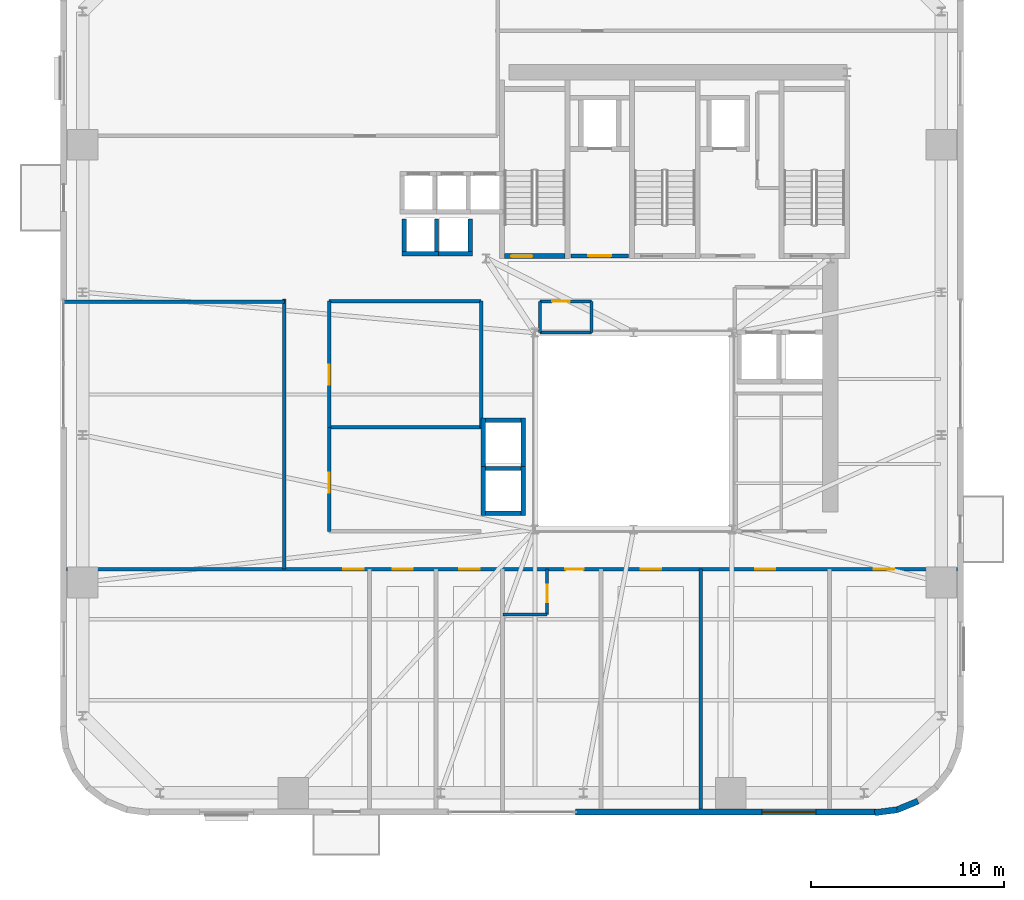
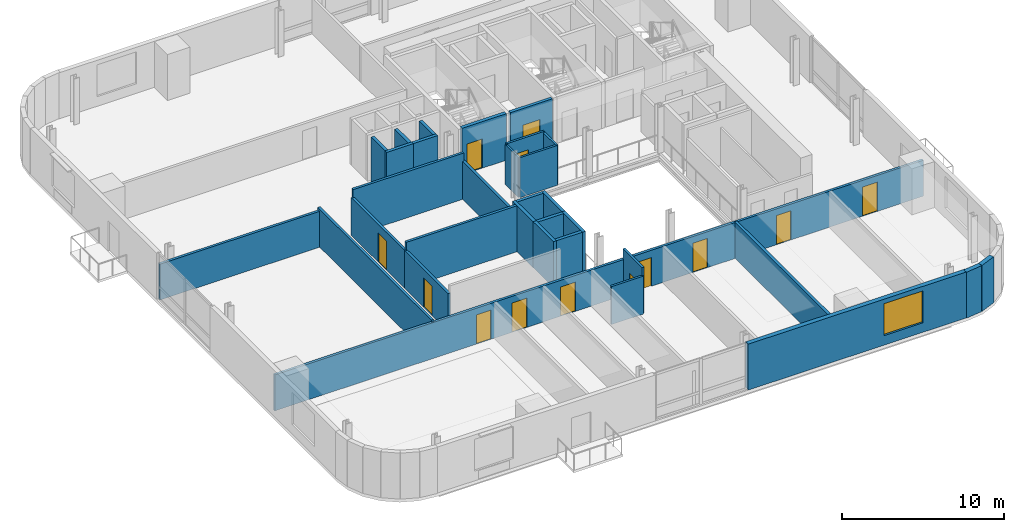
# One storey, part 6 of 14: 32 walls, 13 doors, 1 window, 14 openings.
"""IFC4 building model written with IfcOpenShell, lengths in metres."""

from ifc_helpers import new_model, si_unit, direction, frame, frame_2d, origin, place, context, subcontext, project, spatial, rectangle, extrude, source, transform, mapped, material, layer, layer_set, type_object, element, fill, save


model = new_model("IFC4")

# Units and contexts
model_context = context("Model", 3, precision=1e-05, world=origin(), true_north=direction((0.0, 1.0)))
body_context = subcontext(model_context, "Body", "Model", "MODEL_VIEW")
ifc_project = project(units=[si_unit("LENGTHUNIT", "METRE"), si_unit("AREAUNIT", "SQUARE_METRE"), si_unit("VOLUMEUNIT", "CUBIC_METRE"), si_unit("PLANEANGLEUNIT", "RADIAN"), si_unit("MASSUNIT", "GRAM", prefix="KILO")], contexts=[model_context])

# Site, building, storey
site_placement = place(None, origin())
site = spatial("IfcSite", under=ifc_project, at=site_placement, CompositionType="ELEMENT")
building_placement = place(site_placement, origin())
building = spatial("IfcBuilding", under=site, at=building_placement, Name="Vardaveli Station Tower", CompositionType="ELEMENT")
storey_placement = place(building_placement, frame((0.0, 0.0, 111.300048828125)))
storey = spatial("IfcBuildingStorey", under=building, at=storey_placement, Name="L28", CompositionType="ELEMENT", Elevation=111.300048828125)

# Wall, opening, window
ifc_material_1 = material(Name="Precast concrete C45/55", Category="concrete")
ifc_layer_1 = layer(ifc_material_1, 0.320068359375, Name="Precast concrete C45/55")
ifc_layer_set_1 = layer_set([ifc_layer_1], Name="Precast concrete C45/55")
wall_type_1 = type_object("IfcWallType", Name="WAL-EXT-STONE-320", PredefinedType="SOLIDWALL", material=ifc_layer_set_1)
shared_shape_1 = source(origin(), body_context, "Body", "SweptSolid", [
    extrude(rectangle(XDim=15.599853515625, YDim=0.320068359375, at=frame_2d((7.7998046875, 0.0))), origin(), (0.0, 0.0, 1.0), 3.4599609375),
])
wall_1_placement = place(storey_placement, frame((33.300048828125, 1.9599609375, 0.0), z_axis=(0.0, 0.0, 1.0), x_axis=(1.0, 0.0, 0.0)))
wall_1 = element("IfcWall", 1, at=wall_1_placement, inside=storey, type_object=wall_type_1, Name="EW-L28-S2", PredefinedType="SOLIDWALL", context=body_context, shape_type="MappedRepresentation", body=[
    mapped(shared_shape_1, transform((0.0, 0.0, 0.0), scale=1.0)),
])
shared_shape_2 = source(origin(), body_context, "Body", "SweptSolid", [
    extrude(rectangle(XDim=2.800048828125, YDim=2.39990234375, at=frame_2d((1.39990234375, 1.199951171875))), frame((0.0, 0.169921875, 0.0), z_axis=(0.0, -1.0, 0.0), x_axis=(1.0, 0.0, 0.0)), (0.0, 0.0, 1.0), 0.340087890625),
])
opening_1_placement = place(wall_1_placement, frame((9.64501953125, 0.0, 0.719970703125)))
opening_1 = element("IfcOpeningElement", 2, at=opening_1_placement, cuts=wall_1, Name="Opening W-04", PredefinedType="OPENING", context=body_context, shape_type="MappedRepresentation", body=[
    mapped(shared_shape_2, transform((0.0, 0.0, 0.0), scale=1.0)),
])
ifc_material_2 = material(Name="Low-E solar-control glass", Category="glass")
window_type = type_object("IfcWindowType", Name="WIN-SUITE-2800x2400", PartitioningType="SINGLE_PANEL", PredefinedType="WINDOW", material=ifc_material_2)
shared_shape_3 = source(origin(), body_context, "Body", "SweptSolid", [
    extrude(rectangle(XDim=2.800048828125, YDim=2.39990234375, at=frame_2d((1.39990234375, 1.199951171875))), frame((0.0, 0.030029296875, 0.0), z_axis=(0.0, -1.0, 0.0), x_axis=(1.0, 0.0, 0.0)), (0.0, 0.0, 1.0), 0.06005859375),
])
window_placement = place(opening_1_placement, origin())
window = element("IfcWindow", 3, at=window_placement, inside=storey, type_object=window_type, Name="WN-L28-S2", OverallHeight=2.39990234375, OverallWidth=2.800048828125, PartitioningType="SINGLE_PANEL", PredefinedType="WINDOW", context=body_context, shape_type="MappedRepresentation", body=[
    mapped(shared_shape_3, transform((0.0, 0.0, 0.0), scale=1.0)),
])
fill(opening_1, window)

# Walls
shared_shape_4 = source(origin(), body_context, "Body", "SweptSolid", [
    extrude(rectangle(XDim=1.16943359375, YDim=0.320068359375, at=frame_2d((0.584716796875, 0.0))), origin(), (0.0, 0.0, 1.0), 3.4599609375),
])
wall_2_placement = place(storey_placement, frame((49.960205078125, 2.074462890625, 0.0), z_axis=(0.0, 0.0, 1.0), x_axis=(0.924479075121, 0.381232789334, 0.0)))
element("IfcWall", 4, at=wall_2_placement, inside=storey, type_object=wall_type_1, Name="EW-L28-CR2-2", PredefinedType="SOLIDWALL", context=body_context, shape_type="MappedRepresentation", body=[
    mapped(shared_shape_4, transform((0.0, 0.0, 0.0), scale=1.0)),
])
shared_shape_5 = source(origin(), body_context, "Body", "SweptSolid", [
    extrude(rectangle(XDim=1.170166015625, YDim=0.320068359375, at=frame_2d((0.5849609375, 0.0))), origin(), (0.0, 0.0, 1.0), 3.4599609375),
])
wall_3_placement = place(storey_placement, frame((48.799560546875, 1.924560546875, 0.0), z_axis=(0.0, 0.0, 1.0), x_axis=(0.991762485493, 0.128090485085, 0.0)))
element("IfcWall", 5, at=wall_3_placement, inside=storey, type_object=wall_type_1, Name="EW-L28-CR2-1", PredefinedType="SOLIDWALL", context=body_context, shape_type="MappedRepresentation", body=[
    mapped(shared_shape_5, transform((0.0, 0.0, 0.0), scale=1.0)),
])

# Wall, opening, door
ifc_material_3 = material(Name="Concrete C40/50", Category="concrete")
ifc_layer_2 = layer(ifc_material_3, 0.25, Name="Concrete C40/50")
ifc_layer_set_2 = layer_set([ifc_layer_2], Name="Concrete C40/50")
wall_type_2 = type_object("IfcWallType", Name="WAL-SHAFT-250", PredefinedType="SOLIDWALL", material=ifc_layer_set_2)
shared_shape_6 = source(origin(), body_context, "Body", "SweptSolid", [
    extrude(rectangle(XDim=3.14990234375, YDim=0.25, at=frame_2d((1.574951171875, 0.0))), origin(), (0.0, 0.0, 1.0), 3.5),
])
wall_4_placement = place(storey_placement, frame((29.60009765625, 30.77490234375, 0.0), z_axis=(0.0, 0.0, 1.0), x_axis=(1.0, 0.0, 0.0)))
wall_4 = element("IfcWall", 6, at=wall_4_placement, inside=storey, type_object=wall_type_2, Name="W-L28-ST-1S", PredefinedType="SOLIDWALL", context=body_context, shape_type="MappedRepresentation", body=[
    mapped(shared_shape_6, transform((0.0, 0.0, 0.0), scale=1.0)),
])
shared_shape_7 = source(origin(), body_context, "Body", "SweptSolid", [
    extrude(rectangle(XDim=1.10009765625, YDim=2.199951171875, at=frame_2d((0.550048828125, 1.10009765625))), frame((0.0, 0.135009765625, 0.0), z_axis=(0.0, -1.0, 0.0), x_axis=(1.0, 0.0, 0.0)), (0.0, 0.0, 1.0), 0.27001953125),
])
opening_2_placement = place(wall_4_placement, frame((0.35009765625, 0.0, 0.0)))
opening_2 = element("IfcOpeningElement", 7, at=opening_2_placement, cuts=wall_4, Name="Opening D-04", PredefinedType="OPENING", context=body_context, shape_type="MappedRepresentation", body=[
    mapped(shared_shape_7, transform((0.0, 0.0, 0.0), scale=1.0)),
])
ifc_material_4 = material(Name="Steel smokeproof fire doorset", Category="steel")
door_type_1 = type_object("IfcDoorType", Name="DR-ST-1100x2200", OperationType="NOTDEFINED", PredefinedType="DOOR", material=ifc_material_4)
shared_shape_8 = source(origin(), body_context, "Body", "SweptSolid", [
    extrude(rectangle(XDim=1.10009765625, YDim=2.199951171875, at=frame_2d((0.550048828125, 1.10009765625))), frame((0.0, 0.02490234375, 0.0), z_axis=(0.0, -1.0, 0.0), x_axis=(1.0, 0.0, 0.0)), (0.0, 0.0, 1.0), 0.050048828125),
])
door_1_placement = place(opening_2_placement, origin())
door_1 = element("IfcDoor", 8, at=door_1_placement, inside=storey, type_object=door_type_1, Name="DST-1-L28", OperationType="SINGLE_SWING_LEFT", OverallHeight=2.199951171875, OverallWidth=1.10009765625, PredefinedType="DOOR", context=body_context, shape_type="MappedRepresentation", body=[
    mapped(shared_shape_8, transform((0.0, 0.0, 0.0), scale=1.0)),
])
fill(opening_2, door_1)

ifc_layer_3 = layer(ifc_material_3, 0.219970703125, Name="Concrete C40/50")
ifc_layer_set_3 = layer_set([ifc_layer_3], Name="Concrete C40/50")
wall_type_3 = type_object("IfcWallType", Name="WAL-FFLOBBY-220", PredefinedType="SOLIDWALL", material=ifc_layer_set_3)
shared_shape_9 = source(origin(), body_context, "Body", "SweptSolid", [
    extrude(rectangle(XDim=3.0, YDim=0.219970703125, at=frame_2d((1.5, 0.0))), origin(), (0.0, 0.0, 1.0), 3.4599609375),
])
wall_5_placement = place(storey_placement, frame((33.050048828125, 30.780029296875, 0.0), z_axis=(0.0, 0.0, 1.0), x_axis=(1.0, 0.0, 0.0)))
wall_5 = element("IfcWall", 9, at=wall_5_placement, inside=storey, type_object=wall_type_3, Name="W-L28-FFL1S", PredefinedType="SOLIDWALL", context=body_context, shape_type="MappedRepresentation", body=[
    mapped(shared_shape_9, transform((0.0, 0.0, 0.0), scale=1.0)),
])
shared_shape_10 = source(origin(), body_context, "Body", "SweptSolid", [
    extrude(rectangle(XDim=1.199951171875, YDim=2.199951171875, at=frame_2d((0.60009765625, 1.10009765625))), frame((0.0, 0.1201171875, 0.0), z_axis=(0.0, -1.0, 0.0), x_axis=(1.0, 0.0, 0.0)), (0.0, 0.0, 1.0), 0.239990234375),
])
opening_3_placement = place(wall_5_placement, frame((0.89990234375, 0.0, 0.0)))
opening_3 = element("IfcOpeningElement", 10, at=opening_3_placement, cuts=wall_5, Name="Opening D-03", PredefinedType="OPENING", context=body_context, shape_type="MappedRepresentation", body=[
    mapped(shared_shape_10, transform((0.0, 0.0, 0.0), scale=1.0)),
])
door_type_2 = type_object("IfcDoorType", Name="DR-FFL-1200x2200", OperationType="NOTDEFINED", PredefinedType="DOOR", material=ifc_material_4)
shared_shape_11 = source(origin(), body_context, "Body", "SweptSolid", [
    extrude(rectangle(XDim=1.199951171875, YDim=2.199951171875, at=frame_2d((0.60009765625, 1.10009765625))), frame((0.0, 0.02490234375, 0.0), z_axis=(0.0, -1.0, 0.0), x_axis=(1.0, 0.0, 0.0)), (0.0, 0.0, 1.0), 0.050048828125),
])
door_2_placement = place(opening_3_placement, origin())
door_2 = element("IfcDoor", 11, at=door_2_placement, inside=storey, type_object=door_type_2, Name="DFFL1-L28", OperationType="SINGLE_SWING_LEFT", OverallHeight=2.199951171875, OverallWidth=1.199951171875, PredefinedType="DOOR", context=body_context, shape_type="MappedRepresentation", body=[
    mapped(shared_shape_11, transform((0.0, 0.0, 0.0), scale=1.0)),
])
fill(opening_3, door_2)

# Walls
shared_shape_12 = source(origin(), body_context, "Body", "SweptSolid", [
    extrude(rectangle(XDim=1.89013671875, YDim=0.219970703125, at=frame_2d((0.945068359375, 0.0))), origin(), (0.0, 0.0, 1.0), 3.4599609375),
])
for number, where, z_axis, x_axis, name in (
    (12, (24.304931640625, 30.889892578125, 0.0), (0.0, 0.0, 1.0), (1.0, 0.0, 0.0), "SHW-SHU-01-L28-S"),
    (13, (26.054931640625, 30.889892578125, 0.0), (0.0, 0.0, 1.0), (1.0, 0.0, 0.0), "SHW-SHU-02-L28-S"),
):
    element("IfcWall", number, at=place(storey_placement, frame(where, z_axis=z_axis, x_axis=x_axis)), inside=storey, type_object=wall_type_3, Name=name, PredefinedType="SOLIDWALL", context=body_context, shape_type="MappedRepresentation", body=[
        mapped(shared_shape_12, transform((0.0, 0.0, 0.0), scale=1.0)),
    ])
shared_shape_13 = source(origin(), body_context, "Body", "SweptSolid", [
    extrude(rectangle(XDim=1.699951171875, YDim=0.219970703125, at=frame_2d((0.85009765625, 0.0))), origin(), (0.0, 0.0, 1.0), 3.4599609375),
])
for number, where, z_axis, x_axis, name in (
    (14, (24.4150390625, 31.0, 0.0), (0.0, 0.0, 1.0), (0.0, 1.0, 0.0), "SHW-SHU-01-L28-W"),
    (15, (26.0849609375, 31.0, 0.0), (0.0, 0.0, 1.0), (0.0, 1.0, 0.0), "SHW-SHU-01-L28-E"),
    (16, (27.8349609375, 31.0, 0.0), (0.0, 0.0, 1.0), (0.0, 1.0, 0.0), "SHW-SHU-02-L28-E"),
):
    element("IfcWall", number, at=place(storey_placement, frame(where, z_axis=z_axis, x_axis=x_axis)), inside=storey, type_object=wall_type_3, Name=name, PredefinedType="SOLIDWALL", context=body_context, shape_type="MappedRepresentation", body=[
        mapped(shared_shape_13, transform((0.0, 0.0, 0.0), scale=1.0)),
    ])
shared_shape_14 = source(origin(), body_context, "Body", "SweptSolid", [
    extrude(rectangle(XDim=1.85009765625, YDim=0.219970703125, at=frame_2d((0.925048828125, 0.0))), origin(), (0.0, 0.0, 1.0), 3.4599609375),
])
for number, where, z_axis, x_axis, name in (
    (17, (28.625, 17.43994140625, 0.0), (0.0, 0.0, 1.0), (1.0, 0.0, 0.0), "SHW-OBS-01-L28-S"),
    (18, (28.625, 19.760009765625, 0.0), (0.0, 0.0, 1.0), (1.0, 0.0, 0.0), "SHW-OBS-01-L28-N"),
    (19, (28.625, 22.260009765625, 0.0), (0.0, 0.0, 1.0), (1.0, 0.0, 0.0), "SHW-OBS-02-L28-N"),
):
    element("IfcWall", number, at=place(storey_placement, frame(where, z_axis=z_axis, x_axis=x_axis)), inside=storey, type_object=wall_type_3, Name=name, PredefinedType="SOLIDWALL", context=body_context, shape_type="MappedRepresentation", body=[
        mapped(shared_shape_14, transform((0.0, 0.0, 0.0), scale=1.0)),
    ])
shared_shape_15 = source(origin(), body_context, "Body", "SweptSolid", [
    extrude(rectangle(XDim=2.5400390625, YDim=0.219970703125, at=frame_2d((1.27001953125, 0.0))), origin(), (0.0, 0.0, 1.0), 3.4599609375),
])
for number, where, z_axis, x_axis, name in (
    (20, (28.514892578125, 17.330078125, 0.0), (0.0, 0.0, 1.0), (0.0, 1.0, 0.0), "SHW-OBS-01-L28-W"),
    (21, (30.5849609375, 17.330078125, 0.0), (0.0, 0.0, 1.0), (0.0, 1.0, 0.0), "SHW-OBS-01-L28-E"),
    (22, (28.514892578125, 19.830078125, 0.0), (0.0, 0.0, 1.0), (0.0, 1.0, 0.0), "SHW-OBS-02-L28-W"),
    (23, (30.5849609375, 19.830078125, 0.0), (0.0, 0.0, 1.0), (0.0, 1.0, 0.0), "SHW-OBS-02-L28-E"),
):
    element("IfcWall", number, at=place(storey_placement, frame(where, z_axis=z_axis, x_axis=x_axis)), inside=storey, type_object=wall_type_3, Name=name, PredefinedType="SOLIDWALL", context=body_context, shape_type="MappedRepresentation", body=[
        mapped(shared_shape_15, transform((0.0, 0.0, 0.0), scale=1.0)),
    ])

# Wall, openings, doors
ifc_material_5 = material(Name="Fire-rated gypsum stud partition")
ifc_layer_4 = layer(ifc_material_5, 0.179931640625, Name="Fire-rated gypsum stud partition")
ifc_layer_set_4 = layer_set([ifc_layer_4], Name="Fire-rated gypsum stud partition")
wall_type_4 = type_object("IfcWallType", Name="WAL-CORR-180", PredefinedType="PARTITIONING", material=ifc_layer_set_4)
shared_shape_16 = source(origin(), body_context, "Body", "SweptSolid", [
    extrude(rectangle(XDim=46.15576171875, YDim=0.179931640625, at=frame_2d((23.077880859375, 0.0))), origin(), (0.0, 0.0, 1.0), 2.701904296875),
])
wall_6_placement = place(storey_placement, frame((6.922119140625, 14.550048828125, 0.0), z_axis=(0.0, 0.0, 1.0), x_axis=(1.0, 0.0, 0.0)))
wall_6 = element("IfcWall", 24, at=wall_6_placement, inside=storey, type_object=wall_type_4, Name="W-L28-CS", PredefinedType="PARTITIONING", context=body_context, shape_type="MappedRepresentation", body=[
    mapped(shared_shape_16, transform((0.0, 0.0, 0.0), scale=1.0)),
])
shared_shape_17 = source(origin(), body_context, "Body", "SweptSolid", [
    extrude(rectangle(XDim=1.050048828125, YDim=2.199951171875, at=frame_2d((0.52490234375, 1.10009765625))), frame((0.0, 0.10009765625, 0.0), z_axis=(0.0, -1.0, 0.0), x_axis=(1.0, 0.0, 0.0)), (0.0, 0.0, 1.0), 0.199951171875),
])
opening_4_placement = place(wall_6_placement, frame((14.33837890625, 0.0, 0.0)))
opening_4 = element("IfcOpeningElement", 25, at=opening_4_placement, cuts=wall_6, Name="Opening D-05", PredefinedType="OPENING", context=body_context, shape_type="MappedRepresentation", body=[
    mapped(shared_shape_17, transform((0.0, 0.0, 0.0), scale=1.0)),
])
opening_5_placement = place(wall_6_placement, frame((16.893310546875, 0.0, 0.0)))
opening_5 = element("IfcOpeningElement", 26, at=opening_5_placement, cuts=wall_6, Name="Opening D-05", PredefinedType="OPENING", context=body_context, shape_type="MappedRepresentation", body=[
    mapped(shared_shape_17, transform((0.0, 0.0, 0.0), scale=1.0)),
])
opening_6_placement = place(wall_6_placement, frame((20.343505859375, 0.0, 0.0)))
opening_6 = element("IfcOpeningElement", 27, at=opening_6_placement, cuts=wall_6, Name="Opening D-05", PredefinedType="OPENING", context=body_context, shape_type="MappedRepresentation", body=[
    mapped(shared_shape_17, transform((0.0, 0.0, 0.0), scale=1.0)),
])
shared_shape_18 = source(origin(), body_context, "Body", "SweptSolid", [
    extrude(rectangle(XDim=0.949951171875, YDim=2.14990234375, at=frame_2d((0.47509765625, 1.074951171875))), frame((0.0, 0.10009765625, 0.0), z_axis=(0.0, -1.0, 0.0), x_axis=(1.0, 0.0, 0.0)), (0.0, 0.0, 1.0), 0.199951171875),
])
opening_7_placement = place(wall_6_placement, frame((25.841552734375, 0.0, 0.0)))
opening_7 = element("IfcOpeningElement", 28, at=opening_7_placement, cuts=wall_6, Name="Opening D-06", PredefinedType="OPENING", context=body_context, shape_type="MappedRepresentation", body=[
    mapped(shared_shape_18, transform((0.0, 0.0, 0.0), scale=1.0)),
])
opening_8_placement = place(wall_6_placement, frame((29.75390625, 0.0, 0.0)))
opening_8 = element("IfcOpeningElement", 29, at=opening_8_placement, cuts=wall_6, Name="Opening D-05", PredefinedType="OPENING", context=body_context, shape_type="MappedRepresentation", body=[
    mapped(shared_shape_17, transform((0.0, 0.0, 0.0), scale=1.0)),
])
opening_9_placement = place(wall_6_placement, frame((35.682861328125, 0.0, 0.0)))
opening_9 = element("IfcOpeningElement", 30, at=opening_9_placement, cuts=wall_6, Name="Opening D-05", PredefinedType="OPENING", context=body_context, shape_type="MappedRepresentation", body=[
    mapped(shared_shape_17, transform((0.0, 0.0, 0.0), scale=1.0)),
])
opening_10_placement = place(wall_6_placement, frame((41.827880859375, 0.0, 0.0)))
opening_10 = element("IfcOpeningElement", 31, at=opening_10_placement, cuts=wall_6, Name="Opening D-05", PredefinedType="OPENING", context=body_context, shape_type="MappedRepresentation", body=[
    mapped(shared_shape_17, transform((0.0, 0.0, 0.0), scale=1.0)),
])
ifc_material_6 = material(Name="Walnut veneer acoustic fire door")
door_type_3 = type_object("IfcDoorType", Name="DR-SUITE-1050x2200", OperationType="NOTDEFINED", PredefinedType="DOOR", material=ifc_material_6)
shared_shape_19 = source(origin(), body_context, "Body", "SweptSolid", [
    extrude(rectangle(XDim=1.050048828125, YDim=2.199951171875, at=frame_2d((0.52490234375, 1.10009765625))), frame((0.0, 0.02490234375, 0.0), z_axis=(0.0, -1.0, 0.0), x_axis=(1.0, 0.0, 0.0)), (0.0, 0.0, 1.0), 0.050048828125),
])
door_3_placement = place(opening_4_placement, origin())
door_3 = element("IfcDoor", 32, at=door_3_placement, inside=storey, type_object=door_type_3, Name="D-L28-SA1", OperationType="SINGLE_SWING_LEFT", OverallHeight=2.199951171875, OverallWidth=1.050048828125, PredefinedType="DOOR", context=body_context, shape_type="MappedRepresentation", body=[
    mapped(shared_shape_19, transform((0.0, 0.0, 0.0), scale=1.0)),
])
fill(opening_4, door_3)
door_4_placement = place(opening_5_placement, origin())
door_4 = element("IfcDoor", 33, at=door_4_placement, inside=storey, type_object=door_type_3, Name="D-L28-SA2", OperationType="SINGLE_SWING_RIGHT", OverallHeight=2.199951171875, OverallWidth=1.050048828125, PredefinedType="DOOR", context=body_context, shape_type="MappedRepresentation", body=[
    mapped(shared_shape_19, transform((0.0, 0.0, 0.0), scale=1.0)),
])
fill(opening_5, door_4)
door_5_placement = place(opening_6_placement, origin())
door_5 = element("IfcDoor", 34, at=door_5_placement, inside=storey, type_object=door_type_3, Name="D-L28-SA3", OperationType="SINGLE_SWING_LEFT", OverallHeight=2.199951171875, OverallWidth=1.050048828125, PredefinedType="DOOR", context=body_context, shape_type="MappedRepresentation", body=[
    mapped(shared_shape_19, transform((0.0, 0.0, 0.0), scale=1.0)),
])
fill(opening_6, door_5)
door_6_placement = place(opening_8_placement, origin())
door_6 = element("IfcDoor", 35, at=door_6_placement, inside=storey, type_object=door_type_3, Name="D-L28-SA5", OperationType="SINGLE_SWING_LEFT", OverallHeight=2.199951171875, OverallWidth=1.050048828125, PredefinedType="DOOR", context=body_context, shape_type="MappedRepresentation", body=[
    mapped(shared_shape_19, transform((0.0, 0.0, 0.0), scale=1.0)),
])
fill(opening_8, door_6)
door_7_placement = place(opening_9_placement, origin())
door_7 = element("IfcDoor", 36, at=door_7_placement, inside=storey, type_object=door_type_3, Name="D-L28-SA6", OperationType="SINGLE_SWING_RIGHT", OverallHeight=2.199951171875, OverallWidth=1.050048828125, PredefinedType="DOOR", context=body_context, shape_type="MappedRepresentation", body=[
    mapped(shared_shape_19, transform((0.0, 0.0, 0.0), scale=1.0)),
])
fill(opening_9, door_7)
door_8_placement = place(opening_10_placement, origin())
door_8 = element("IfcDoor", 37, at=door_8_placement, inside=storey, type_object=door_type_3, Name="D-L28-SA7", OperationType="SINGLE_SWING_LEFT", OverallHeight=2.199951171875, OverallWidth=1.050048828125, PredefinedType="DOOR", context=body_context, shape_type="MappedRepresentation", body=[
    mapped(shared_shape_19, transform((0.0, 0.0, 0.0), scale=1.0)),
])
fill(opening_10, door_8)
ifc_material_7 = material(Name="Oak veneer acoustic fire door")
door_type_4 = type_object("IfcDoorType", Name="DR-GUEST-950x2150", OperationType="NOTDEFINED", PredefinedType="DOOR", material=ifc_material_7)
shared_shape_20 = source(origin(), body_context, "Body", "SweptSolid", [
    extrude(rectangle(XDim=0.949951171875, YDim=2.14990234375, at=frame_2d((0.47509765625, 1.074951171875))), frame((0.0, 0.02490234375, 0.0), z_axis=(0.0, -1.0, 0.0), x_axis=(1.0, 0.0, 0.0)), (0.0, 0.0, 1.0), 0.050048828125),
])
door_9_placement = place(opening_7_placement, origin())
door_9 = element("IfcDoor", 38, at=door_9_placement, inside=storey, type_object=door_type_4, Name="D-L28-GS4", OperationType="SINGLE_SWING_RIGHT", OverallHeight=2.14990234375, OverallWidth=0.949951171875, PredefinedType="DOOR", context=body_context, shape_type="MappedRepresentation", body=[
    mapped(shared_shape_20, transform((0.0, 0.0, 0.0), scale=1.0)),
])
fill(opening_7, door_9)

# Wall, opening, door
shared_shape_21 = source(origin(), body_context, "Body", "SweptSolid", [
    extrude(rectangle(XDim=6.5400390625, YDim=0.179931640625, at=frame_2d((3.27001953125, 0.0))), origin(), (0.0, 0.0, 1.0), 2.85205078125),
])
wall_7_placement = place(storey_placement, frame((20.52001953125, 21.89990234375, 0.0), z_axis=(0.0, 0.0, 1.0), x_axis=(0.0, 1.0, 0.0)))
wall_7 = element("IfcWall", 39, at=wall_7_placement, inside=storey, type_object=wall_type_4, Name="W-L28-ATW2-W", PredefinedType="PARTITIONING", context=body_context, shape_type="MappedRepresentation", body=[
    mapped(shared_shape_21, transform((0.0, 0.0, 0.0), scale=1.0)),
])
opening_11_placement = place(wall_7_placement, frame((2.199951171875, 0.0, 0.0)))
opening_11 = element("IfcOpeningElement", 40, at=opening_11_placement, cuts=wall_7, Name="Opening D-05", PredefinedType="OPENING", context=body_context, shape_type="MappedRepresentation", body=[
    mapped(shared_shape_17, transform((0.0, 0.0, 0.0), scale=1.0)),
])
door_10_placement = place(opening_11_placement, origin())
door_10 = element("IfcDoor", 41, at=door_10_placement, inside=storey, type_object=door_type_3, Name="D-L28-ATW2", OperationType="SINGLE_SWING_RIGHT", OverallHeight=2.199951171875, OverallWidth=1.050048828125, PredefinedType="DOOR", context=body_context, shape_type="MappedRepresentation", body=[
    mapped(shared_shape_19, transform((0.0, 0.0, 0.0), scale=1.0)),
])
fill(opening_11, door_10)

# Wall
wall_8_placement = place(storey_placement, frame((28.39990234375, 21.89990234375, 0.0), z_axis=(0.0, 0.0, 1.0), x_axis=(0.0, 1.0, 0.0)))
element("IfcWall", 42, at=wall_8_placement, inside=storey, type_object=wall_type_4, Name="W-L28-ATW2-E", PredefinedType="PARTITIONING", context=body_context, shape_type="MappedRepresentation", body=[
    mapped(shared_shape_21, transform((0.0, 0.0, 0.0), scale=1.0)),
])

# Wall, opening, door
shared_shape_22 = source(origin(), body_context, "Body", "SweptSolid", [
    extrude(rectangle(XDim=5.39990234375, YDim=0.179931640625, at=frame_2d((2.699951171875, 0.0))), origin(), (0.0, 0.0, 1.0), 2.85205078125),
])
wall_9_placement = place(storey_placement, frame((20.52001953125, 16.5, 0.0), z_axis=(0.0, 0.0, 1.0), x_axis=(0.0, 1.0, 0.0)))
wall_9 = element("IfcWall", 43, at=wall_9_placement, inside=storey, type_object=wall_type_4, Name="W-L28-ATW1-W", PredefinedType="PARTITIONING", context=body_context, shape_type="MappedRepresentation", body=[
    mapped(shared_shape_22, transform((0.0, 0.0, 0.0), scale=1.0)),
])
opening_12_placement = place(wall_9_placement, frame((2.0, 0.0, 0.0)))
opening_12 = element("IfcOpeningElement", 44, at=opening_12_placement, cuts=wall_9, Name="Opening D-05", PredefinedType="OPENING", context=body_context, shape_type="MappedRepresentation", body=[
    mapped(shared_shape_17, transform((0.0, 0.0, 0.0), scale=1.0)),
])
door_11_placement = place(opening_12_placement, origin())
door_11 = element("IfcDoor", 45, at=door_11_placement, inside=storey, type_object=door_type_3, Name="D-L28-ATW1", OperationType="SINGLE_SWING_LEFT", OverallHeight=2.199951171875, OverallWidth=1.050048828125, PredefinedType="DOOR", context=body_context, shape_type="MappedRepresentation", body=[
    mapped(shared_shape_19, transform((0.0, 0.0, 0.0), scale=1.0)),
])
fill(opening_12, door_11)

ifc_material_8 = material(Name="Moisture-resistant stud partition")
ifc_layer_5 = layer(ifc_material_8, 0.14990234375, Name="Moisture-resistant stud partition")
ifc_layer_set_5 = layer_set([ifc_layer_5], Name="Moisture-resistant stud partition")
wall_type_5 = type_object("IfcWallType", Name="WAL-WET-150", PredefinedType="PARTITIONING", material=ifc_layer_set_5)
shared_shape_23 = source(origin(), body_context, "Body", "SweptSolid", [
    extrude(rectangle(XDim=2.670166015625, YDim=0.14990234375, at=frame_2d((1.3349609375, 0.0))), origin(), (0.0, 0.0, 1.0), 3.092041015625),
])
wall_10_placement = place(storey_placement, frame((31.449951171875, 28.419921875, 0.0), z_axis=(0.0, 0.0, 1.0), x_axis=(1.0, 0.0, 0.0)))
wall_10 = element("IfcWall", 46, at=wall_10_placement, inside=storey, type_object=wall_type_5, Name="W-L28-WCA1-N", PredefinedType="PARTITIONING", context=body_context, shape_type="MappedRepresentation", body=[
    mapped(shared_shape_23, transform((0.0, 0.0, 0.0), scale=1.0)),
])
shared_shape_24 = source(origin(), body_context, "Body", "SweptSolid", [
    extrude(rectangle(XDim=0.919921875, YDim=2.10009765625, at=frame_2d((0.4599609375, 1.050048828125))), frame((0.0, 0.0849609375, 0.0), z_axis=(0.0, -1.0, 0.0), x_axis=(1.0, 0.0, 0.0)), (0.0, 0.0, 1.0), 0.169921875),
])
opening_13_placement = place(wall_10_placement, frame((0.6298828125, 0.0, 0.0)))
opening_13 = element("IfcOpeningElement", 47, at=opening_13_placement, cuts=wall_10, Name="Opening D-07", PredefinedType="OPENING", context=body_context, shape_type="MappedRepresentation", body=[
    mapped(shared_shape_24, transform((0.0, 0.0, 0.0), scale=1.0)),
])
ifc_material_9 = material(Name="Moisture-resistant hardwood door", Category="wood")
door_type_5 = type_object("IfcDoorType", Name="DR-WC-920x2100", OperationType="NOTDEFINED", PredefinedType="DOOR", material=ifc_material_9)
shared_shape_25 = source(origin(), body_context, "Body", "SweptSolid", [
    extrude(rectangle(XDim=0.919921875, YDim=2.10009765625, at=frame_2d((0.4599609375, 1.050048828125))), frame((0.0, 0.02490234375, 0.0), z_axis=(0.0, -1.0, 0.0), x_axis=(1.0, 0.0, 0.0)), (0.0, 0.0, 1.0), 0.050048828125),
])
door_12_placement = place(opening_13_placement, origin())
door_12 = element("IfcDoor", 48, at=door_12_placement, inside=storey, type_object=door_type_5, Name="D-L28-WCA", OperationType="SINGLE_SWING_RIGHT", OverallHeight=2.10009765625, OverallWidth=0.919921875, PredefinedType="DOOR", context=body_context, shape_type="MappedRepresentation", body=[
    mapped(shared_shape_25, transform((0.0, 0.0, 0.0), scale=1.0)),
])
fill(opening_13, door_12)

shared_shape_26 = source(origin(), body_context, "Body", "SweptSolid", [
    extrude(rectangle(XDim=2.360107421875, YDim=0.14990234375, at=frame_2d((1.18017578125, 0.0))), origin(), (0.0, 0.0, 1.0), 3.4599609375),
])
wall_11_placement = place(storey_placement, frame((31.820068359375, 12.18994140625, 0.0), z_axis=(0.0, 0.0, 1.0), x_axis=(0.0, 1.0, 0.0)))
wall_11 = element("IfcWall", 49, at=wall_11_placement, inside=storey, type_object=wall_type_5, Name="W-L28-BS4-E", PredefinedType="PARTITIONING", context=body_context, shape_type="MappedRepresentation", body=[
    mapped(shared_shape_26, transform((0.0, 0.0, 0.0), scale=1.0)),
])
shared_shape_27 = source(origin(), body_context, "Body", "SweptSolid", [
    extrude(rectangle(XDim=0.89990234375, YDim=2.10009765625, at=frame_2d((0.449951171875, 1.050048828125))), frame((0.0, 0.0849609375, 0.0), z_axis=(0.0, -1.0, 0.0), x_axis=(1.0, 0.0, 0.0)), (0.0, 0.0, 1.0), 0.169921875),
])
opening_14_placement = place(wall_11_placement, frame((0.64990234375, 0.0, 0.0)))
opening_14 = element("IfcOpeningElement", 50, at=opening_14_placement, cuts=wall_11, Name="Opening D-08", PredefinedType="OPENING", context=body_context, shape_type="MappedRepresentation", body=[
    mapped(shared_shape_27, transform((0.0, 0.0, 0.0), scale=1.0)),
])
ifc_material_10 = material(Name="Moisture-resistant oak door")
door_type_6 = type_object("IfcDoorType", Name="DR-BATH-900x2100", OperationType="NOTDEFINED", PredefinedType="DOOR", material=ifc_material_10)
shared_shape_28 = source(origin(), body_context, "Body", "SweptSolid", [
    extrude(rectangle(XDim=0.89990234375, YDim=2.10009765625, at=frame_2d((0.449951171875, 1.050048828125))), frame((0.0, 0.02490234375, 0.0), z_axis=(0.0, -1.0, 0.0), x_axis=(1.0, 0.0, 0.0)), (0.0, 0.0, 1.0), 0.050048828125),
])
door_13_placement = place(opening_14_placement, origin())
door_13 = element("IfcDoor", 51, at=door_13_placement, inside=storey, type_object=door_type_6, Name="D-L28-BS4", OperationType="SINGLE_SWING_LEFT", OverallHeight=2.10009765625, OverallWidth=0.89990234375, PredefinedType="DOOR", context=body_context, shape_type="MappedRepresentation", body=[
    mapped(shared_shape_28, transform((0.0, 0.0, 0.0), scale=1.0)),
])
fill(opening_14, door_13)

# Walls
shared_shape_29 = source(origin(), body_context, "Body", "SweptSolid", [
    extrude(rectangle(XDim=14.0, YDim=0.179931640625, at=frame_2d((7.0, 0.0))), origin(), (0.0, 0.0, 1.0), 2.85205078125),
])
wall_12_placement = place(storey_placement, frame((18.199951171875, 14.550048828125, 0.0), z_axis=(0.0, 0.0, 1.0), x_axis=(0.0, 1.0, 0.0)))
element("IfcWall", 52, at=wall_12_placement, inside=storey, type_object=wall_type_4, Name="W-L28-CW", PredefinedType="PARTITIONING", context=body_context, shape_type="MappedRepresentation", body=[
    mapped(shared_shape_29, transform((0.0, 0.0, 0.0), scale=1.0)),
])
ifc_material_11 = material(Name="Acoustic twin-stud gypsum partition")
ifc_layer_6 = layer(ifc_material_11, 0.199951171875, Name="Acoustic twin-stud gypsum partition")
ifc_layer_set_6 = layer_set([ifc_layer_6], Name="Acoustic twin-stud gypsum partition")
wall_type_6 = type_object("IfcWallType", Name="WAL-PARTY-200", PredefinedType="PARTITIONING", material=ifc_layer_set_6)
shared_shape_30 = source(origin(), body_context, "Body", "SweptSolid", [
    extrude(rectangle(XDim=12.427978515625, YDim=0.199951171875, at=frame_2d((6.2138671875, 0.0))), origin(), (0.0, 0.0, 1.0), 2.701904296875),
])
wall_13_placement = place(storey_placement, frame((39.784912109375, 2.1220703125, 0.0), z_axis=(0.0, 0.0, 1.0), x_axis=(0.0, 1.0, 0.0)))
element("IfcWall", 53, at=wall_13_placement, inside=storey, type_object=wall_type_6, Name="W-L28-PS5", PredefinedType="PARTITIONING", context=body_context, shape_type="MappedRepresentation", body=[
    mapped(shared_shape_30, transform((0.0, 0.0, 0.0), scale=1.0)),
])
shared_shape_31 = source(origin(), body_context, "Body", "SweptSolid", [
    extrude(rectangle(XDim=11.469970703125, YDim=0.179931640625, at=frame_2d((5.73486328125, 0.0))), origin(), (0.0, 0.0, 1.0), 2.701904296875),
])
wall_14_placement = place(storey_placement, frame((6.72998046875, 28.39990234375, 0.0), z_axis=(0.0, 0.0, 1.0), x_axis=(1.0, 0.0, 0.0)))
element("IfcWall", 54, at=wall_14_placement, inside=storey, type_object=wall_type_4, Name="W-L28-CWN", PredefinedType="PARTITIONING", context=body_context, shape_type="MappedRepresentation", body=[
    mapped(shared_shape_31, transform((0.0, 0.0, 0.0), scale=1.0)),
])
shared_shape_32 = source(origin(), body_context, "Body", "SweptSolid", [
    extrude(rectangle(XDim=7.8798828125, YDim=0.179931640625, at=frame_2d((3.93994140625, 0.0))), origin(), (0.0, 0.0, 1.0), 3.4599609375),
])
for number, where, z_axis, x_axis, name in (
    (55, (20.52001953125, 21.89990234375, 0.0), (0.0, 0.0, 1.0), (1.0, 0.0, 0.0), "W-L28-ATW1-N"),
    (56, (20.52001953125, 28.43994140625, 0.0), (0.0, 0.0, 1.0), (1.0, 0.0, 0.0), "W-L28-ATW2-N"),
):
    element("IfcWall", number, at=place(storey_placement, frame(where, z_axis=z_axis, x_axis=x_axis)), inside=storey, type_object=wall_type_4, Name=name, PredefinedType="PARTITIONING", context=body_context, shape_type="MappedRepresentation", body=[
        mapped(shared_shape_32, transform((0.0, 0.0, 0.0), scale=1.0)),
    ])
shared_shape_33 = source(origin(), body_context, "Body", "SweptSolid", [
    extrude(rectangle(XDim=2.670166015625, YDim=0.14990234375, at=frame_2d((1.3349609375, 0.0))), origin(), (0.0, 0.0, 1.0), 3.001953125),
])
wall_15_placement = place(storey_placement, frame((31.449951171875, 26.820068359375, 0.0), z_axis=(0.0, 0.0, 1.0), x_axis=(1.0, 0.0, 0.0)))
element("IfcWall", 57, at=wall_15_placement, inside=storey, type_object=wall_type_5, Name="W-L28-WCA1-S", PredefinedType="PARTITIONING", context=body_context, shape_type="MappedRepresentation", body=[
    mapped(shared_shape_33, transform((0.0, 0.0, 0.0), scale=1.0)),
])
shared_shape_34 = source(origin(), body_context, "Body", "SweptSolid", [
    extrude(rectangle(XDim=2.2900390625, YDim=0.14990234375, at=frame_2d((1.14501953125, 0.0))), origin(), (0.0, 0.0, 1.0), 2.85205078125),
])
wall_16_placement = place(storey_placement, frame((29.530029296875, 12.18994140625, 0.0), z_axis=(0.0, 0.0, 1.0), x_axis=(1.0, 0.0, 0.0)))
element("IfcWall", 58, at=wall_16_placement, inside=storey, type_object=wall_type_5, Name="W-L28-BS4-S", PredefinedType="PARTITIONING", context=body_context, shape_type="MappedRepresentation", body=[
    mapped(shared_shape_34, transform((0.0, 0.0, 0.0), scale=1.0)),
])
shared_shape_35 = source(origin(), body_context, "Body", "SweptSolid", [
    extrude(rectangle(XDim=1.599853515625, YDim=0.14990234375, at=frame_2d((0.7998046875, 0.0))), origin(), (0.0, 0.0, 1.0), 3.001953125),
])
for number, where, z_axis, x_axis, name in (
    (59, (31.449951171875, 26.820068359375, 0.0), (0.0, 0.0, 1.0), (0.0, 1.0, 0.0), "W-L28-WCA1-W"),
    (60, (34.1201171875, 26.820068359375, 0.0), (0.0, 0.0, 1.0), (0.0, 1.0, 0.0), "W-L28-WCA1-E"),
):
    element("IfcWall", number, at=place(storey_placement, frame(where, z_axis=z_axis, x_axis=x_axis)), inside=storey, type_object=wall_type_5, Name=name, PredefinedType="PARTITIONING", context=body_context, shape_type="MappedRepresentation", body=[
        mapped(shared_shape_35, transform((0.0, 0.0, 0.0), scale=1.0)),
    ])

save(model, "model.ifc")
